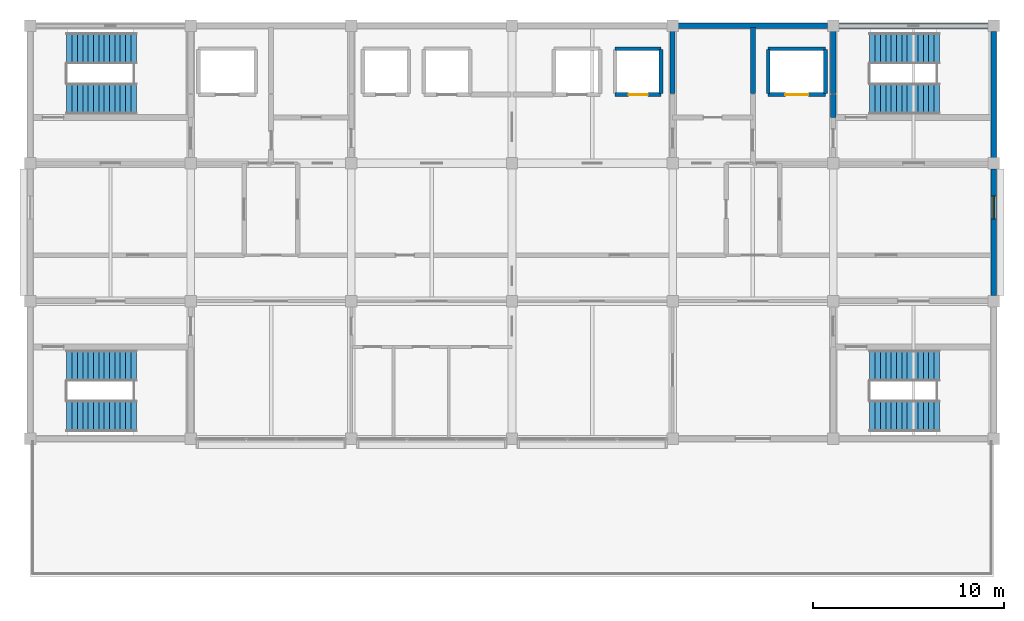
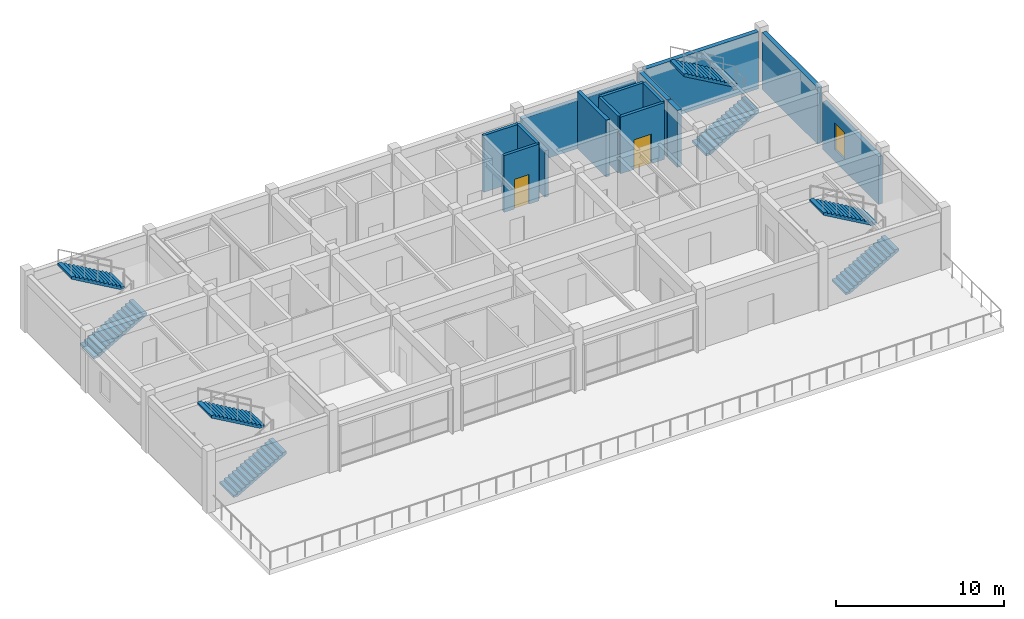
# One storey, part 9 of 11: 15 walls, 8 stair flights, 2 doors, 1 window, 3 openings, 4 elements without a shape of their own.
"""IFC4 building model written with IfcOpenShell, lengths in metres."""

from ifc_helpers import new_model, si_unit, direction, frame, frame_2d, origin, place, context, subcontext, project, spatial, polyline, rectangle, outline, extrude, material, layer, layer_set, type_object, element, fill, aggregate, save


model = new_model("IFC4")

# Units and contexts
model_context = context("Model", 3, precision=1e-05, world=origin(), true_north=direction((0.0, 1.0)))
body_context = subcontext(model_context, "Body", "Model", "MODEL_VIEW")
ifc_project = project(units=[si_unit("LENGTHUNIT", "METRE"), si_unit("AREAUNIT", "SQUARE_METRE"), si_unit("VOLUMEUNIT", "CUBIC_METRE"), si_unit("PLANEANGLEUNIT", "RADIAN"), si_unit("MASSUNIT", "GRAM", prefix="KILO")], contexts=[model_context])

# Site, building, storey
site_placement = place(None, origin())
site = spatial("IfcSite", under=ifc_project, at=site_placement, CompositionType="ELEMENT")
building_placement = place(site_placement, origin())
building = spatial("IfcBuilding", under=site, at=building_placement, Name="Chengyuan Square Courthouse", CompositionType="ELEMENT")
storey_placement = place(building_placement, frame((0.0, 0.0, 68.699951171875)))
storey = spatial("IfcBuildingStorey", under=building, at=storey_placement, Name="L16", CompositionType="ELEMENT", Elevation=68.699951171875)

# Wall
ifc_material_1 = material(Name="Concrete C40", Category="concrete")
ifc_layer_1 = layer(ifc_material_1, 0.280029296875)
ifc_layer_set_1 = layer_set([ifc_layer_1], Name="Concrete C40")
wall_type_1 = type_object("IfcWallType", Name="WL-EW4", PredefinedType="STANDARD", material=ifc_layer_set_1)
wall_1_placement = place(storey_placement, frame((92.695068359375, 108.0, 0.0), z_axis=(0.0, 0.0, 1.0), x_axis=(1.0, 0.0, 0.0)))
element("IfcWall", 1, at=wall_1_placement, inside=storey, type_object=wall_type_1, Name="Exterior Wall WL-L16-E545", PredefinedType="STANDARD", context=body_context, shape_type="SweptSolid", body=[
    extrude(rectangle(XDim=7.809814453125, YDim=0.280029296875, at=frame_2d((3.90478515625, 0.0))), origin(), (0.0, 0.0, 1.0), 3.469970703125),
])

# Wall, opening, window
wall_2_placement = place(storey_placement, frame((109.199951171875, 93.89501953125, 0.0), z_axis=(0.0, 0.0, 1.0), x_axis=(0.0, 1.0, 0.0)))
wall_2 = element("IfcWall", 2, at=wall_2_placement, inside=storey, type_object=wall_type_1, Name="Exterior Wall WL-L16-E548", PredefinedType="STANDARD", context=body_context, shape_type="SweptSolid", body=[
    extrude(rectangle(XDim=6.60986328125, YDim=0.280029296875, at=frame_2d((3.304931640625, 0.0))), origin(), (0.0, 0.0, 1.0), 3.469970703125),
])
opening_1_placement = place(wall_2_placement, frame((4.0048828125, 0.0, 0.85009765625)))
opening_1 = element("IfcOpeningElement", 3, at=opening_1_placement, cuts=wall_2, Name="Opening WN-247", PredefinedType="OPENING", context=body_context, shape_type="SweptSolid", body=[
    extrude(rectangle(XDim=1.199951171875, YDim=1.919921875, at=frame_2d((0.60009765625, 0.9599609375))), frame((0.0, 0.152099609375, 0.0), z_axis=(0.0, -1.0, 0.0), x_axis=(1.0, 0.0, 0.0)), (0.0, 0.0, 1.0), 0.303955078125),
])
ifc_material_2 = material(Name="Thermally Broken Aluminium Triple Low-E Window", Category="aluminium")
window_type = type_object("IfcWindowType", Name="WT-17", PartitioningType="SINGLE_PANEL", PredefinedType="WINDOW", material=ifc_material_2)
window_placement = place(opening_1_placement, origin())
window = element("IfcWindow", 4, at=window_placement, inside=storey, type_object=window_type, Name="Facade Window WN-247", OverallHeight=1.919921875, OverallWidth=1.199951171875, PartitioningType="SINGLE_PANEL", PredefinedType="WINDOW", context=body_context, shape_type="SweptSolid", body=[
    extrude(rectangle(XDim=1.199951171875, YDim=1.919921875, at=frame_2d((0.60009765625, 0.9599609375))), frame((0.0, 0.030029296875, 0.0), z_axis=(0.0, -1.0, 0.0), x_axis=(1.0, 0.0, 0.0)), (0.0, 0.0, 1.0), 0.06005859375),
])
fill(opening_1, window)

# Walls
ifc_layer_2 = layer(ifc_material_1, 0.25)
ifc_layer_set_2 = layer_set([ifc_layer_2], Name="Concrete C40")
wall_type_2 = type_object("IfcWallType", Name="WL-FW1", PredefinedType="STANDARD", material=ifc_layer_set_2)
wall_3_placement = place(storey_placement, frame((92.39990234375, 104.449951171875, 0.0), z_axis=(0.0, 0.0, 1.0), x_axis=(0.0, 1.0, 0.0)))
element("IfcWall", 5, at=wall_3_placement, inside=storey, type_object=wall_type_2, Name="Interior Wall WL-L16-I4149", PredefinedType="STANDARD", context=body_context, shape_type="SweptSolid", body=[
    extrude(rectangle(XDim=3.4599609375, YDim=0.25, at=frame_2d((1.72998046875, 0.0))), origin(), (0.0, 0.0, 1.0), 3.3701171875),
])
wall_4_placement = place(storey_placement, frame((96.60009765625, 104.449951171875, 0.0), z_axis=(0.0, 0.0, 1.0), x_axis=(0.0, 1.0, 0.0)))
element("IfcWall", 6, at=wall_4_placement, inside=storey, type_object=wall_type_2, Name="Interior Wall WL-L16-I4152", PredefinedType="STANDARD", context=body_context, shape_type="SweptSolid", body=[
    extrude(rectangle(XDim=3.4599609375, YDim=0.25, at=frame_2d((1.72998046875, 0.0))), origin(), (0.0, 0.0, 1.0), 4.1201171875),
])

# Wall, opening, door
ifc_material_3 = material(Name="Reinforced Masonry Shaft Enclosure", Category="masonry")
ifc_layer_3 = layer(ifc_material_3, 0.199951171875)
ifc_layer_set_3 = layer_set([ifc_layer_3], Name="Reinforced Masonry Shaft Enclosure")
wall_type_3 = type_object("IfcWallType", Name="WL-SH1", PredefinedType="STANDARD", material=ifc_layer_set_3)
wall_5_placement = place(storey_placement, frame((89.39990234375, 104.39990234375, 0.0), z_axis=(0.0, 0.0, 1.0), x_axis=(1.0, 0.0, 0.0)))
wall_5 = element("IfcWall", 7, at=wall_5_placement, inside=storey, type_object=wall_type_3, Name="Interior Wall WL-L16-I4113", PredefinedType="STANDARD", context=body_context, shape_type="SweptSolid", body=[
    extrude(rectangle(XDim=2.400146484375, YDim=0.199951171875, at=frame_2d((1.2001953125, 0.0))), origin(), (0.0, 0.0, 1.0), 4.1201171875),
])
opening_2_placement = place(wall_5_placement, frame((0.699951171875, 0.0, 0.0)))
opening_2 = element("IfcOpeningElement", 8, at=opening_2_placement, cuts=wall_5, Name="Opening LD-216", PredefinedType="OPENING", context=body_context, shape_type="SweptSolid", body=[
    extrude(rectangle(XDim=1.0, YDim=2.14990234375, at=frame_2d((0.5, 1.074951171875))), frame((0.0, 0.112060546875, 0.0), z_axis=(0.0, -1.0, 0.0), x_axis=(1.0, 0.0, 0.0)), (0.0, 0.0, 1.0), 0.223876953125),
])
ifc_material_4 = material(Name="Stainless Steel S30408 Lift Landing Door", Category="steel")
door_type_1 = type_object("IfcDoorType", Name="DT-07", OperationType="DOUBLE_DOOR_SLIDING", PredefinedType="DOOR", material=ifc_material_4)
door_1_placement = place(opening_2_placement, origin())
door_1 = element("IfcDoor", 9, at=door_1_placement, inside=storey, type_object=door_type_1, Name="Lift Landing Door LF-J4 L16", OperationType="DOUBLE_DOOR_SLIDING", OverallHeight=2.14990234375, OverallWidth=1.0, PredefinedType="DOOR", context=body_context, shape_type="SweptSolid", body=[
    extrude(rectangle(XDim=1.0, YDim=2.14990234375, at=frame_2d((0.5, 1.074951171875))), frame((0.0, 0.02490234375, 0.0), z_axis=(0.0, -1.0, 0.0), x_axis=(1.0, 0.0, 0.0)), (0.0, 0.0, 1.0), 0.050048828125),
])
fill(opening_2, door_1)

wall_6_placement = place(storey_placement, frame((97.39990234375, 104.39990234375, 0.0), z_axis=(0.0, 0.0, 1.0), x_axis=(1.0, 0.0, 0.0)))
wall_6 = element("IfcWall", 10, at=wall_6_placement, inside=storey, type_object=wall_type_3, Name="Interior Wall WL-L16-I4114", PredefinedType="STANDARD", context=body_context, shape_type="SweptSolid", body=[
    extrude(rectangle(XDim=3.0, YDim=0.199951171875, at=frame_2d((1.5, 0.0))), origin(), (0.0, 0.0, 1.0), 4.1201171875),
])
opening_3_placement = place(wall_6_placement, frame((0.89990234375, 0.0, 0.0)))
opening_3 = element("IfcOpeningElement", 11, at=opening_3_placement, cuts=wall_6, Name="Opening LD-212", PredefinedType="OPENING", context=body_context, shape_type="SweptSolid", body=[
    extrude(rectangle(XDim=1.199951171875, YDim=2.14990234375, at=frame_2d((0.60009765625, 1.074951171875))), frame((0.0, 0.112060546875, 0.0), z_axis=(0.0, -1.0, 0.0), x_axis=(1.0, 0.0, 0.0)), (0.0, 0.0, 1.0), 0.223876953125),
])
door_type_2 = type_object("IfcDoorType", Name="DT-05", OperationType="DOUBLE_DOOR_SLIDING", PredefinedType="DOOR", material=ifc_material_4)
door_2_placement = place(opening_3_placement, origin())
door_2 = element("IfcDoor", 12, at=door_2_placement, inside=storey, type_object=door_type_2, Name="Lift Landing Door LF-F2 L16", OperationType="DOUBLE_DOOR_SLIDING", OverallHeight=2.14990234375, OverallWidth=1.199951171875, PredefinedType="DOOR", context=body_context, shape_type="SweptSolid", body=[
    extrude(rectangle(XDim=1.199951171875, YDim=2.14990234375, at=frame_2d((0.60009765625, 1.074951171875))), frame((0.0, 0.02490234375, 0.0), z_axis=(0.0, -1.0, 0.0), x_axis=(1.0, 0.0, 0.0)), (0.0, 0.0, 1.0), 0.050048828125),
])
fill(opening_3, door_2)

# Walls
wall_7_placement = place(storey_placement, frame((89.39990234375, 106.800048828125, 0.0), z_axis=(0.0, 0.0, 1.0), x_axis=(1.0, 0.0, 0.0)))
element("IfcWall", 13, at=wall_7_placement, inside=storey, type_object=wall_type_3, Name="Interior Wall WL-L16-I4119", PredefinedType="STANDARD", context=body_context, shape_type="SweptSolid", body=[
    extrude(rectangle(XDim=2.400146484375, YDim=0.199951171875, at=frame_2d((1.2001953125, 0.0))), origin(), (0.0, 0.0, 1.0), 4.1201171875),
])
wall_8_placement = place(storey_placement, frame((97.39990234375, 106.800048828125, 0.0), z_axis=(0.0, 0.0, 1.0), x_axis=(1.0, 0.0, 0.0)))
element("IfcWall", 14, at=wall_8_placement, inside=storey, type_object=wall_type_3, Name="Interior Wall WL-L16-I4120", PredefinedType="STANDARD", context=body_context, shape_type="SweptSolid", body=[
    extrude(rectangle(XDim=3.0, YDim=0.199951171875, at=frame_2d((1.5, 0.0))), origin(), (0.0, 0.0, 1.0), 4.1201171875),
])
for number, where, z_axis, x_axis, name in (
    (15, (91.800048828125, 104.449951171875, 0.0), (0.0, 0.0, 1.0), (0.0, 1.0, 0.0), "Interior Wall WL-L16-I4146"),
    (16, (97.39990234375, 104.449951171875, 0.0), (0.0, 0.0, 1.0), (0.0, 1.0, 0.0), "Interior Wall WL-L16-I4153"),
    (17, (100.39990234375, 104.449951171875, 0.0), (0.0, 0.0, 1.0), (0.0, 1.0, 0.0), "Interior Wall WL-L16-I4155"),
):
    element("IfcWall", number, at=place(storey_placement, frame(where, z_axis=z_axis, x_axis=x_axis)), inside=storey, type_object=wall_type_3, Name=name, PredefinedType="STANDARD", context=body_context, shape_type="SweptSolid", body=[
        extrude(rectangle(XDim=2.300048828125, YDim=0.199951171875, at=frame_2d((1.14990234375, 0.0))), origin(), (0.0, 0.0, 1.0), 4.1201171875),
    ])
ifc_layer_4 = layer(ifc_material_1, 0.300048828125)
ifc_layer_set_4 = layer_set([ifc_layer_4], Name="Concrete C40")
wall_type_4 = type_object("IfcWallType", Name="WL-SW2", PredefinedType="SHEAR", material=ifc_layer_set_4)
wall_9_placement = place(storey_placement, frame((101.094970703125, 108.0, 0.0), z_axis=(0.0, 0.0, 1.0), x_axis=(1.0, 0.0, 0.0)))
element("IfcWall", 18, at=wall_9_placement, inside=storey, type_object=wall_type_4, Name="Exterior Wall WL-L16-E549", PredefinedType="SHEAR", context=body_context, shape_type="SweptSolid", body=[
    extrude(rectangle(XDim=7.81005859375, YDim=0.300048828125, at=frame_2d((3.905029296875, 0.0))), origin(), (0.0, 0.0, 1.0), 4.1201171875),
])
wall_10_placement = place(storey_placement, frame((109.199951171875, 101.094970703125, 0.0), z_axis=(0.0, 0.0, 1.0), x_axis=(0.0, 1.0, 0.0)))
element("IfcWall", 19, at=wall_10_placement, inside=storey, type_object=wall_type_4, Name="Exterior Wall WL-L16-E550", PredefinedType="SHEAR", context=body_context, shape_type="SweptSolid", body=[
    extrude(rectangle(XDim=6.610107421875, YDim=0.300048828125, at=frame_2d((3.30517578125, 0.0))), origin(), (0.0, 0.0, 1.0), 4.1201171875),
])
wall_11_placement = place(storey_placement, frame((100.800048828125, 103.199951171875, 0.0), z_axis=(0.0, 0.0, 1.0), x_axis=(0.0, 1.0, 0.0)))
element("IfcWall", 20, at=wall_11_placement, inside=storey, type_object=wall_type_4, Name="Interior Wall WL-L16-I4159", PredefinedType="SHEAR", context=body_context, shape_type="SweptSolid", body=[
    extrude(rectangle(XDim=1.199951171875, YDim=0.300048828125, at=frame_2d((0.60009765625, 0.0))), origin(), (0.0, 0.0, 1.0), 4.1201171875),
])
wall_12_placement = place(storey_placement, frame((100.800048828125, 104.449951171875, 0.0), z_axis=(0.0, 0.0, 1.0), x_axis=(0.0, 1.0, 0.0)))
element("IfcWall", 21, at=wall_12_placement, inside=storey, type_object=wall_type_4, Name="Interior Wall WL-L16-I4160", PredefinedType="SHEAR", context=body_context, shape_type="SweptSolid", body=[
    extrude(rectangle(XDim=3.4599609375, YDim=0.300048828125, at=frame_2d((1.72998046875, 0.0))), origin(), (0.0, 0.0, 1.0), 4.1201171875),
])

# Stair, stair flights
stair_type_1 = type_object("IfcStairType", Name="ST-TYPE-01", PredefinedType="HALF_TURN_STAIR", material=ifc_material_1)
stair_1_placement = place(storey_placement, origin())
stair_1 = element("IfcStair", 22, at=stair_1_placement, inside=storey, type_object=stair_type_1, Name="Smoke-Proof Exit Stair ST-1 (L16 to RF)", PredefinedType="HALF_TURN_STAIR")
stair_flight_type_1 = type_object("IfcStairFlightType", Name="STF-TYPE-01", PredefinedType="STRAIGHT", material=ifc_material_1)
stair_flight_1_placement = place(storey_placement, frame((60.7099609375, 104.175048828125, 0.0), z_axis=(0.0, 0.0, 1.0), x_axis=(1.0, 0.0, 0.0)))
stair_flight_1 = element("IfcStairFlight", 23, at=stair_flight_1_placement, type_object=stair_flight_type_1, Name="ST-1 flight 1", NumberOfRisers=14, NumberOfTreads=13, PredefinedType="STRAIGHT", RiserHeight=0.160714286, TreadLength=0.28, context=body_context, shape_type="SweptSolid", body=[
    extrude(outline(polyline([(0.0, 0.0), (0.0, 0.16064453125), (0.280029296875, 0.16064453125), (0.280029296875, 0.321533203125), (0.56005859375, 0.321533203125), (0.56005859375, 0.482177734375), (0.840087890625, 0.482177734375), (0.840087890625, 0.642822265625), (1.1201171875, 0.642822265625), (1.1201171875, 0.803466796875), (1.39990234375, 0.803466796875), (1.39990234375, 0.96435546875), (1.679931640625, 0.96435546875), (1.679931640625, 1.125), (1.9599609375, 1.125), (1.9599609375, 1.28564453125), (2.239990234375, 1.28564453125), (2.239990234375, 1.446533203125), (2.52001953125, 1.446533203125), (2.52001953125, 1.607177734375), (2.800048828125, 1.607177734375), (2.800048828125, 1.767822265625), (3.080078125, 1.767822265625), (3.080078125, 1.928466796875), (3.360107421875, 1.928466796875), (3.360107421875, 2.08935546875), (3.639892578125, 2.08935546875), (3.639892578125, 2.25), (3.639892578125, 1.91650390625), (0.301025390625, 0.0), (0.0, 0.0)])), frame((0.0, 0.824951171875, 0.0), z_axis=(0.0, -1.0, 0.0), x_axis=(1.0, 0.0, 0.0)), (0.0, 0.0, 1.0), 1.64990234375),
])
stair_flight_2_placement = place(storey_placement, frame((64.35009765625, 106.824951171875, 2.25), z_axis=(0.0, 0.0, 1.0), x_axis=(-1.0, 0.0, 0.0)))
stair_flight_2 = element("IfcStairFlight", 24, at=stair_flight_2_placement, type_object=stair_flight_type_1, Name="ST-1 flight 2", NumberOfRisers=14, NumberOfTreads=13, PredefinedType="STRAIGHT", RiserHeight=0.160714286, TreadLength=0.28, context=body_context, shape_type="SweptSolid", body=[
    extrude(outline(polyline([(0.0, 0.0), (0.0, 0.16064453125), (0.280029296875, 0.16064453125), (0.280029296875, 0.321533203125), (0.56005859375, 0.321533203125), (0.56005859375, 0.482177734375), (0.840087890625, 0.482177734375), (0.840087890625, 0.642822265625), (1.1201171875, 0.642822265625), (1.1201171875, 0.803466796875), (1.39990234375, 0.803466796875), (1.39990234375, 0.96435546875), (1.679931640625, 0.96435546875), (1.679931640625, 1.125), (1.9599609375, 1.125), (1.9599609375, 1.28564453125), (2.239990234375, 1.28564453125), (2.239990234375, 1.446533203125), (2.52001953125, 1.446533203125), (2.52001953125, 1.607177734375), (2.800048828125, 1.607177734375), (2.800048828125, 1.767822265625), (3.080078125, 1.767822265625), (3.080078125, 1.928466796875), (3.360107421875, 1.928466796875), (3.360107421875, 2.08935546875), (3.639892578125, 2.08935546875), (3.639892578125, 2.25), (3.639892578125, 1.91650390625), (0.301025390625, 0.0), (0.0, 0.0)])), frame((0.0, 0.824951171875, 0.0), z_axis=(0.0, -1.0, 0.0), x_axis=(1.0, 0.0, 0.0)), (0.0, 0.0, 1.0), 1.64990234375),
])
aggregate(stair_1, [stair_flight_1, stair_flight_2])

stair_type_2 = type_object("IfcStairType", Name="ST-TYPE-02", PredefinedType="HALF_TURN_STAIR", material=ifc_material_1)
stair_2_placement = place(storey_placement, origin())
stair_2 = element("IfcStair", 25, at=stair_2_placement, inside=storey, type_object=stair_type_2, Name="Smoke-Proof Exit Stair ST-2 (L16 to RF)", PredefinedType="HALF_TURN_STAIR")
stair_flight_type_2 = type_object("IfcStairFlightType", Name="STF-TYPE-02", PredefinedType="STRAIGHT", material=ifc_material_1)
stair_flight_3_placement = place(storey_placement, frame((102.7099609375, 104.175048828125, 0.0), z_axis=(0.0, 0.0, 1.0), x_axis=(1.0, 0.0, 0.0)))
stair_flight_3 = element("IfcStairFlight", 26, at=stair_flight_3_placement, type_object=stair_flight_type_2, Name="ST-2 flight 1", NumberOfRisers=14, NumberOfTreads=13, PredefinedType="STRAIGHT", RiserHeight=0.160714286, TreadLength=0.28, context=body_context, shape_type="SweptSolid", body=[
    extrude(outline(polyline([(0.0, 0.0), (0.0, 0.16064453125), (0.280029296875, 0.16064453125), (0.280029296875, 0.321533203125), (0.56005859375, 0.321533203125), (0.56005859375, 0.482177734375), (0.840087890625, 0.482177734375), (0.840087890625, 0.642822265625), (1.1201171875, 0.642822265625), (1.1201171875, 0.803466796875), (1.39990234375, 0.803466796875), (1.39990234375, 0.96435546875), (1.679931640625, 0.96435546875), (1.679931640625, 1.125), (1.9599609375, 1.125), (1.9599609375, 1.28564453125), (2.239990234375, 1.28564453125), (2.239990234375, 1.446533203125), (2.52001953125, 1.446533203125), (2.52001953125, 1.607177734375), (2.800048828125, 1.607177734375), (2.800048828125, 1.767822265625), (3.080078125, 1.767822265625), (3.080078125, 1.928466796875), (3.360107421875, 1.928466796875), (3.360107421875, 2.08935546875), (3.639892578125, 2.08935546875), (3.639892578125, 2.25), (3.639892578125, 1.91650390625), (0.301025390625, 0.0), (0.0, 0.0)])), frame((0.0, 0.824951171875, 0.0), z_axis=(0.0, -1.0, 0.0), x_axis=(1.0, 0.0, 0.0)), (0.0, 0.0, 1.0), 1.64990234375),
])
stair_flight_4_placement = place(storey_placement, frame((106.35009765625, 106.824951171875, 2.25), z_axis=(0.0, 0.0, 1.0), x_axis=(-1.0, 0.0, 0.0)))
stair_flight_4 = element("IfcStairFlight", 27, at=stair_flight_4_placement, type_object=stair_flight_type_2, Name="ST-2 flight 2", NumberOfRisers=14, NumberOfTreads=13, PredefinedType="STRAIGHT", RiserHeight=0.160714286, TreadLength=0.28, context=body_context, shape_type="SweptSolid", body=[
    extrude(outline(polyline([(0.0, 0.0), (0.0, 0.16064453125), (0.280029296875, 0.16064453125), (0.280029296875, 0.321533203125), (0.56005859375, 0.321533203125), (0.56005859375, 0.482177734375), (0.840087890625, 0.482177734375), (0.840087890625, 0.642822265625), (1.1201171875, 0.642822265625), (1.1201171875, 0.803466796875), (1.39990234375, 0.803466796875), (1.39990234375, 0.96435546875), (1.679931640625, 0.96435546875), (1.679931640625, 1.125), (1.9599609375, 1.125), (1.9599609375, 1.28564453125), (2.239990234375, 1.28564453125), (2.239990234375, 1.446533203125), (2.52001953125, 1.446533203125), (2.52001953125, 1.607177734375), (2.800048828125, 1.607177734375), (2.800048828125, 1.767822265625), (3.080078125, 1.767822265625), (3.080078125, 1.928466796875), (3.360107421875, 1.928466796875), (3.360107421875, 2.08935546875), (3.639892578125, 2.08935546875), (3.639892578125, 2.25), (3.639892578125, 1.91650390625), (0.301025390625, 0.0), (0.0, 0.0)])), frame((0.0, 0.824951171875, 0.0), z_axis=(0.0, -1.0, 0.0), x_axis=(1.0, 0.0, 0.0)), (0.0, 0.0, 1.0), 1.64990234375),
])
aggregate(stair_2, [stair_flight_3, stair_flight_4])

stair_type_3 = type_object("IfcStairType", Name="ST-TYPE-03", PredefinedType="HALF_TURN_STAIR", material=ifc_material_1)
stair_3_placement = place(storey_placement, origin())
stair_3 = element("IfcStair", 28, at=stair_3_placement, inside=storey, type_object=stair_type_3, Name="Smoke-Proof Exit Stair ST-3 (L16 to RF)", PredefinedType="HALF_TURN_STAIR")
stair_flight_type_3 = type_object("IfcStairFlightType", Name="STF-TYPE-03", PredefinedType="STRAIGHT", material=ifc_material_1)
stair_flight_5_placement = place(storey_placement, frame((60.7099609375, 87.574951171875, 0.0), z_axis=(0.0, 0.0, 1.0), x_axis=(1.0, 0.0, 0.0)))
stair_flight_5 = element("IfcStairFlight", 29, at=stair_flight_5_placement, type_object=stair_flight_type_3, Name="ST-3 flight 1", NumberOfRisers=14, NumberOfTreads=13, PredefinedType="STRAIGHT", RiserHeight=0.160714286, TreadLength=0.28, context=body_context, shape_type="SweptSolid", body=[
    extrude(outline(polyline([(0.0, 0.0), (0.0, 0.16064453125), (0.280029296875, 0.16064453125), (0.280029296875, 0.321533203125), (0.56005859375, 0.321533203125), (0.56005859375, 0.482177734375), (0.840087890625, 0.482177734375), (0.840087890625, 0.642822265625), (1.1201171875, 0.642822265625), (1.1201171875, 0.803466796875), (1.39990234375, 0.803466796875), (1.39990234375, 0.96435546875), (1.679931640625, 0.96435546875), (1.679931640625, 1.125), (1.9599609375, 1.125), (1.9599609375, 1.28564453125), (2.239990234375, 1.28564453125), (2.239990234375, 1.446533203125), (2.52001953125, 1.446533203125), (2.52001953125, 1.607177734375), (2.800048828125, 1.607177734375), (2.800048828125, 1.767822265625), (3.080078125, 1.767822265625), (3.080078125, 1.928466796875), (3.360107421875, 1.928466796875), (3.360107421875, 2.08935546875), (3.639892578125, 2.08935546875), (3.639892578125, 2.25), (3.639892578125, 1.91650390625), (0.301025390625, 0.0), (0.0, 0.0)])), frame((0.0, 0.824951171875, 0.0), z_axis=(0.0, -1.0, 0.0), x_axis=(1.0, 0.0, 0.0)), (0.0, 0.0, 1.0), 1.64990234375),
])
stair_flight_6_placement = place(storey_placement, frame((64.35009765625, 90.22509765625, 2.25), z_axis=(0.0, 0.0, 1.0), x_axis=(-1.0, 0.0, 0.0)))
stair_flight_6 = element("IfcStairFlight", 30, at=stair_flight_6_placement, type_object=stair_flight_type_3, Name="ST-3 flight 2", NumberOfRisers=14, NumberOfTreads=13, PredefinedType="STRAIGHT", RiserHeight=0.160714286, TreadLength=0.28, context=body_context, shape_type="SweptSolid", body=[
    extrude(outline(polyline([(0.0, 0.0), (0.0, 0.16064453125), (0.280029296875, 0.16064453125), (0.280029296875, 0.321533203125), (0.56005859375, 0.321533203125), (0.56005859375, 0.482177734375), (0.840087890625, 0.482177734375), (0.840087890625, 0.642822265625), (1.1201171875, 0.642822265625), (1.1201171875, 0.803466796875), (1.39990234375, 0.803466796875), (1.39990234375, 0.96435546875), (1.679931640625, 0.96435546875), (1.679931640625, 1.125), (1.9599609375, 1.125), (1.9599609375, 1.28564453125), (2.239990234375, 1.28564453125), (2.239990234375, 1.446533203125), (2.52001953125, 1.446533203125), (2.52001953125, 1.607177734375), (2.800048828125, 1.607177734375), (2.800048828125, 1.767822265625), (3.080078125, 1.767822265625), (3.080078125, 1.928466796875), (3.360107421875, 1.928466796875), (3.360107421875, 2.08935546875), (3.639892578125, 2.08935546875), (3.639892578125, 2.25), (3.639892578125, 1.91650390625), (0.301025390625, 0.0), (0.0, 0.0)])), frame((0.0, 0.824951171875, 0.0), z_axis=(0.0, -1.0, 0.0), x_axis=(1.0, 0.0, 0.0)), (0.0, 0.0, 1.0), 1.64990234375),
])
aggregate(stair_3, [stair_flight_5, stair_flight_6])

stair_type_4 = type_object("IfcStairType", Name="ST-TYPE-04", PredefinedType="HALF_TURN_STAIR", material=ifc_material_1)
stair_4_placement = place(storey_placement, origin())
stair_4 = element("IfcStair", 31, at=stair_4_placement, inside=storey, type_object=stair_type_4, Name="Smoke-Proof Exit Stair ST-4 (L16 to RF)", PredefinedType="HALF_TURN_STAIR")
stair_flight_type_4 = type_object("IfcStairFlightType", Name="STF-TYPE-04", PredefinedType="STRAIGHT", material=ifc_material_1)
stair_flight_7_placement = place(storey_placement, frame((102.7099609375, 87.574951171875, 0.0), z_axis=(0.0, 0.0, 1.0), x_axis=(1.0, 0.0, 0.0)))
stair_flight_7 = element("IfcStairFlight", 32, at=stair_flight_7_placement, type_object=stair_flight_type_4, Name="ST-4 flight 1", NumberOfRisers=14, NumberOfTreads=13, PredefinedType="STRAIGHT", RiserHeight=0.160714286, TreadLength=0.28, context=body_context, shape_type="SweptSolid", body=[
    extrude(outline(polyline([(0.0, 0.0), (0.0, 0.16064453125), (0.280029296875, 0.16064453125), (0.280029296875, 0.321533203125), (0.56005859375, 0.321533203125), (0.56005859375, 0.482177734375), (0.840087890625, 0.482177734375), (0.840087890625, 0.642822265625), (1.1201171875, 0.642822265625), (1.1201171875, 0.803466796875), (1.39990234375, 0.803466796875), (1.39990234375, 0.96435546875), (1.679931640625, 0.96435546875), (1.679931640625, 1.125), (1.9599609375, 1.125), (1.9599609375, 1.28564453125), (2.239990234375, 1.28564453125), (2.239990234375, 1.446533203125), (2.52001953125, 1.446533203125), (2.52001953125, 1.607177734375), (2.800048828125, 1.607177734375), (2.800048828125, 1.767822265625), (3.080078125, 1.767822265625), (3.080078125, 1.928466796875), (3.360107421875, 1.928466796875), (3.360107421875, 2.08935546875), (3.639892578125, 2.08935546875), (3.639892578125, 2.25), (3.639892578125, 1.91650390625), (0.301025390625, 0.0), (0.0, 0.0)])), frame((0.0, 0.824951171875, 0.0), z_axis=(0.0, -1.0, 0.0), x_axis=(1.0, 0.0, 0.0)), (0.0, 0.0, 1.0), 1.64990234375),
])
stair_flight_8_placement = place(storey_placement, frame((106.35009765625, 90.22509765625, 2.25), z_axis=(0.0, 0.0, 1.0), x_axis=(-1.0, 0.0, 0.0)))
stair_flight_8 = element("IfcStairFlight", 33, at=stair_flight_8_placement, type_object=stair_flight_type_4, Name="ST-4 flight 2", NumberOfRisers=14, NumberOfTreads=13, PredefinedType="STRAIGHT", RiserHeight=0.160714286, TreadLength=0.28, context=body_context, shape_type="SweptSolid", body=[
    extrude(outline(polyline([(0.0, 0.0), (0.0, 0.16064453125), (0.280029296875, 0.16064453125), (0.280029296875, 0.321533203125), (0.56005859375, 0.321533203125), (0.56005859375, 0.482177734375), (0.840087890625, 0.482177734375), (0.840087890625, 0.642822265625), (1.1201171875, 0.642822265625), (1.1201171875, 0.803466796875), (1.39990234375, 0.803466796875), (1.39990234375, 0.96435546875), (1.679931640625, 0.96435546875), (1.679931640625, 1.125), (1.9599609375, 1.125), (1.9599609375, 1.28564453125), (2.239990234375, 1.28564453125), (2.239990234375, 1.446533203125), (2.52001953125, 1.446533203125), (2.52001953125, 1.607177734375), (2.800048828125, 1.607177734375), (2.800048828125, 1.767822265625), (3.080078125, 1.767822265625), (3.080078125, 1.928466796875), (3.360107421875, 1.928466796875), (3.360107421875, 2.08935546875), (3.639892578125, 2.08935546875), (3.639892578125, 2.25), (3.639892578125, 1.91650390625), (0.301025390625, 0.0), (0.0, 0.0)])), frame((0.0, 0.824951171875, 0.0), z_axis=(0.0, -1.0, 0.0), x_axis=(1.0, 0.0, 0.0)), (0.0, 0.0, 1.0), 1.64990234375),
])
aggregate(stair_4, [stair_flight_7, stair_flight_8])

save(model, "model.ifc")
